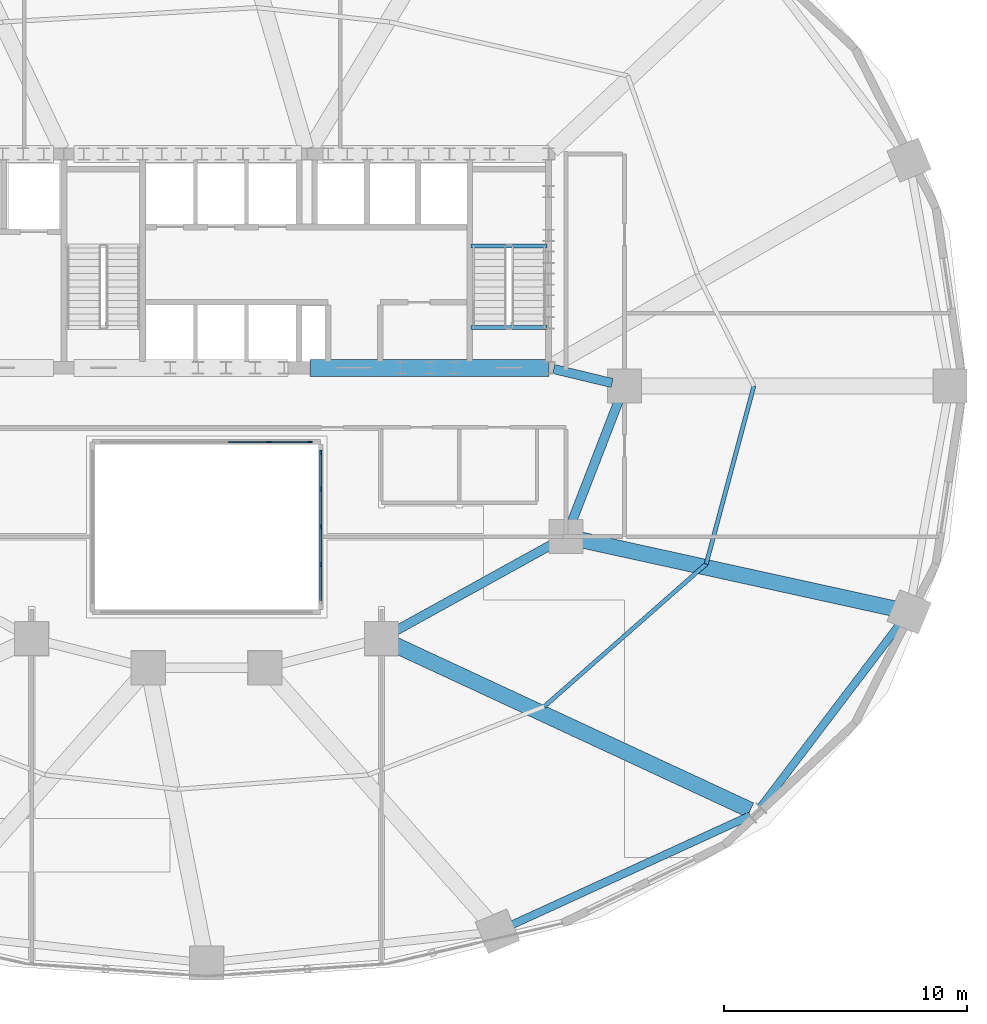
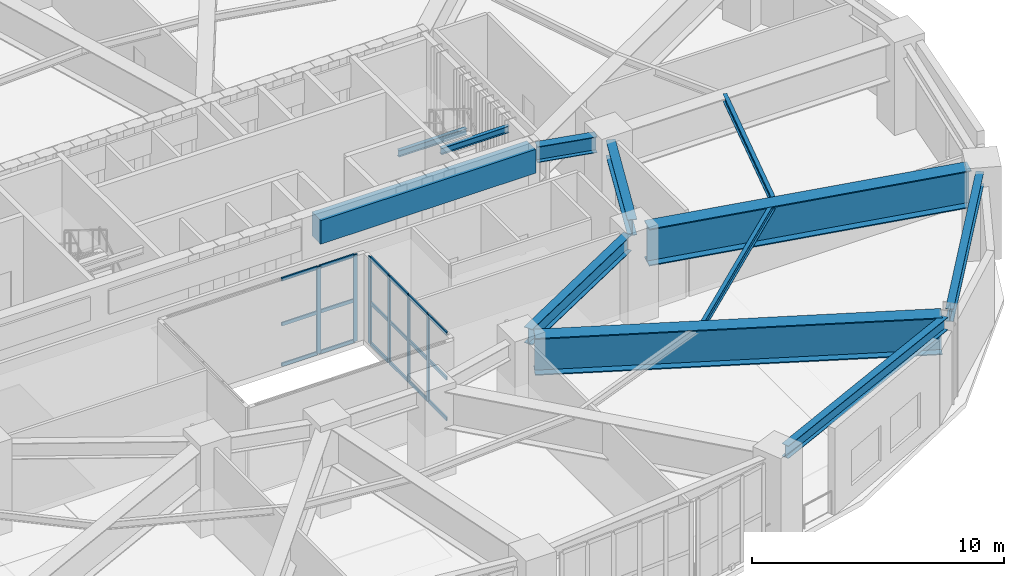
# One storey, part 6 of 13: 24 members, 12 beams, 2 elements without a shape of their own.
"""IFC4 building model written with IfcOpenShell, lengths in metres."""

from ifc_helpers import new_model, si_unit, direction, frame, origin, origin_2d, place, context, subcontext, project, spatial, rectangle, i_section, extrude, material, material_profile, profile_set, type_object, element, aggregate, save


model = new_model("IFC4")

# Units and contexts
model_context = context("Model", 3, precision=1e-05, world=origin(), true_north=direction((0.0, 1.0)))
body_context = subcontext(model_context, "Body", "Model", "MODEL_VIEW")
ifc_project = project(units=[si_unit("LENGTHUNIT", "METRE"), si_unit("AREAUNIT", "SQUARE_METRE"), si_unit("VOLUMEUNIT", "CUBIC_METRE"), si_unit("PLANEANGLEUNIT", "RADIAN"), si_unit("MASSUNIT", "GRAM", prefix="KILO")], contexts=[model_context])

# Site, building, storey
site_placement = place(None, origin())
site = spatial("IfcSite", under=ifc_project, at=site_placement, CompositionType="ELEMENT")
building_placement = place(site_placement, origin())
building = spatial("IfcBuilding", under=site, at=building_placement, Name="Haldorwick Loom Tower", CompositionType="ELEMENT")
storey_placement = place(building_placement, frame((0.0, 0.0, 72.300048828125)))
storey = spatial("IfcBuildingStorey", under=building, at=storey_placement, Name="L19", CompositionType="ELEMENT", Elevation=72.300048828125)

# Curtain wall, members
ifc_material_1 = material(Name="Thermally Broken Anodized Aluminium Curtain Wall Framing", Category="aluminium")
curtain_wall_type = type_object("IfcCurtainWallType", Name="ARC-CW-03", PredefinedType="NOTDEFINED", material=ifc_material_1)
curtain_wall_1_placement = place(storey_placement, origin())
curtain_wall_1 = element("IfcCurtainWall", 1, at=curtain_wall_1_placement, inside=storey, type_object=curtain_wall_type, Name="L19 Atrium Glazed Screen N", PredefinedType="NOTDEFINED")
ifc_material_profile_1 = material_profile(ifc_material_1, rectangle(XDim=0.06591796875, YDim=0.18505859375, at=origin_2d()), Name="ALU_MUL_66X185", Category="aluminium")
ifc_profile_set_1 = profile_set([ifc_material_profile_1], Name="Thermally Broken Anodized Aluminium Curtain Wall Framing")
member_type_1 = type_object("IfcMemberType", Name="ARC-CWM-03", PredefinedType="MULLION", material=ifc_profile_set_1)
member_1_placement = place(storey_placement, frame((38.580078125, 23.699951171875, 0.0), z_axis=(0.0, 0.0, 1.0), x_axis=(0.0, 1.0, 0.0)))
member_1 = element("IfcMember", 2, at=member_1_placement, type_object=member_type_1, Name="CW-03 mullion 5", PredefinedType="MULLION", context=body_context, shape_type="SweptSolid", body=[
    extrude(rectangle(XDim=0.06591796875, YDim=0.18505859375, at=origin_2d()), origin(), (0.0, 0.0, 1.0), 4.199951171875),
])
member_2_placement = place(storey_placement, frame((40.26708984375, 23.699951171875, 0.0), z_axis=(0.0, 0.0, 1.0), x_axis=(0.0, 1.0, 0.0)))
member_2 = element("IfcMember", 3, at=member_2_placement, type_object=member_type_1, Name="CW-03 mullion 6", PredefinedType="MULLION", context=body_context, shape_type="SweptSolid", body=[
    extrude(rectangle(XDim=0.06591796875, YDim=0.18505859375, at=origin_2d()), origin(), (0.0, 0.0, 1.0), 4.199951171875),
])

curtain_wall_2_placement = place(storey_placement, origin())
curtain_wall_2 = element("IfcCurtainWall", 4, at=curtain_wall_2_placement, inside=storey, type_object=curtain_wall_type, Name="L19 Atrium Glazed Screen E", PredefinedType="NOTDEFINED")
member_3_placement = place(storey_placement, frame((40.699951171875, 23.26708984375, 0.0), z_axis=(0.0, 0.0, 1.0), x_axis=(1.0, 0.0, 0.0)))
member_3 = element("IfcMember", 5, at=member_3_placement, type_object=member_type_1, Name="CW-03 mullion 1", PredefinedType="MULLION", context=body_context, shape_type="SweptSolid", body=[
    extrude(rectangle(XDim=0.06591796875, YDim=0.18505859375, at=origin_2d()), origin(), (0.0, 0.0, 1.0), 4.199951171875),
])
member_4_placement = place(storey_placement, frame((40.699951171875, 21.75, 0.0), z_axis=(0.0, 0.0, 1.0), x_axis=(1.0, 0.0, 0.0)))
member_4 = element("IfcMember", 6, at=member_4_placement, type_object=member_type_1, Name="CW-03 mullion 2", PredefinedType="MULLION", context=body_context, shape_type="SweptSolid", body=[
    extrude(rectangle(XDim=0.06591796875, YDim=0.18505859375, at=origin_2d()), origin(), (0.0, 0.0, 1.0), 4.199951171875),
])
member_5_placement = place(storey_placement, frame((40.699951171875, 20.199951171875, 0.0), z_axis=(0.0, 0.0, 1.0), x_axis=(1.0, 0.0, 0.0)))
member_5 = element("IfcMember", 7, at=member_5_placement, type_object=member_type_1, Name="CW-03 mullion 3", PredefinedType="MULLION", context=body_context, shape_type="SweptSolid", body=[
    extrude(rectangle(XDim=0.06591796875, YDim=0.18505859375, at=origin_2d()), origin(), (0.0, 0.0, 1.0), 4.199951171875),
])
member_6_placement = place(storey_placement, frame((40.699951171875, 18.64990234375, 0.0), z_axis=(0.0, 0.0, 1.0), x_axis=(1.0, 0.0, 0.0)))
member_6 = element("IfcMember", 8, at=member_6_placement, type_object=member_type_1, Name="CW-03 mullion 4", PredefinedType="MULLION", context=body_context, shape_type="SweptSolid", body=[
    extrude(rectangle(XDim=0.06591796875, YDim=0.18505859375, at=origin_2d()), origin(), (0.0, 0.0, 1.0), 4.199951171875),
])

# Member
ifc_material_profile_2 = material_profile(ifc_material_1, rectangle(XDim=0.06591796875, YDim=0.1650390625, at=origin_2d()), Name="ALU_TRN_66X165", Category="aluminium")
ifc_profile_set_2 = profile_set([ifc_material_profile_2], Name="Thermally Broken Anodized Aluminium Curtain Wall Framing")
member_type_2 = type_object("IfcMemberType", Name="ARC-CWT-03", PredefinedType="USERDEFINED", material=ifc_profile_set_2)
member_7_placement = place(storey_placement, frame((36.89306640625, 23.699951171875, 0.032958984375), z_axis=(1.0, 0.0, 0.0), x_axis=(0.0, 1.0, 0.0)))
member_7 = element("IfcMember", 9, at=member_7_placement, type_object=member_type_2, Name="CW-03 transom 4.1", ObjectType="TRANSOM", PredefinedType="USERDEFINED", context=body_context, shape_type="SweptSolid", body=[
    extrude(rectangle(XDim=0.06591796875, YDim=0.1650390625, at=origin_2d()), origin(), (0.0, 0.0, 1.0), 1.654052734375),
])

member_8_placement = place(storey_placement, frame((36.89306640625, 23.699951171875, 2.0), z_axis=(1.0, 0.0, 0.0), x_axis=(0.0, 1.0, 0.0)))
member_8 = element("IfcMember", 10, at=member_8_placement, type_object=member_type_2, Name="CW-03 transom 4.2", ObjectType="TRANSOM", PredefinedType="USERDEFINED", context=body_context, shape_type="SweptSolid", body=[
    extrude(rectangle(XDim=0.06591796875, YDim=0.1650390625, at=origin_2d()), origin(), (0.0, 0.0, 1.0), 1.654052734375),
])

member_9_placement = place(storey_placement, frame((36.89306640625, 23.699951171875, 4.1669921875), z_axis=(1.0, 0.0, 0.0), x_axis=(0.0, 1.0, 0.0)))
member_9 = element("IfcMember", 11, at=member_9_placement, type_object=member_type_2, Name="CW-03 transom 4.3", ObjectType="TRANSOM", PredefinedType="USERDEFINED", context=body_context, shape_type="SweptSolid", body=[
    extrude(rectangle(XDim=0.06591796875, YDim=0.1650390625, at=origin_2d()), origin(), (0.0, 0.0, 1.0), 1.654052734375),
])

member_10_placement = place(storey_placement, frame((38.613037109375, 23.699951171875, 0.032958984375), z_axis=(1.0, 0.0, 0.0), x_axis=(0.0, 1.0, 0.0)))
member_10 = element("IfcMember", 12, at=member_10_placement, type_object=member_type_2, Name="CW-03 transom 5.1", ObjectType="TRANSOM", PredefinedType="USERDEFINED", context=body_context, shape_type="SweptSolid", body=[
    extrude(rectangle(XDim=0.06591796875, YDim=0.1650390625, at=origin_2d()), origin(), (0.0, 0.0, 1.0), 1.620849609375),
])

member_11_placement = place(storey_placement, frame((38.613037109375, 23.699951171875, 2.0), z_axis=(1.0, 0.0, 0.0), x_axis=(0.0, 1.0, 0.0)))
member_11 = element("IfcMember", 13, at=member_11_placement, type_object=member_type_2, Name="CW-03 transom 5.2", ObjectType="TRANSOM", PredefinedType="USERDEFINED", context=body_context, shape_type="SweptSolid", body=[
    extrude(rectangle(XDim=0.06591796875, YDim=0.1650390625, at=origin_2d()), origin(), (0.0, 0.0, 1.0), 1.620849609375),
])

member_12_placement = place(storey_placement, frame((38.613037109375, 23.699951171875, 4.1669921875), z_axis=(1.0, 0.0, 0.0), x_axis=(0.0, 1.0, 0.0)))
member_12 = element("IfcMember", 14, at=member_12_placement, type_object=member_type_2, Name="CW-03 transom 5.3", ObjectType="TRANSOM", PredefinedType="USERDEFINED", context=body_context, shape_type="SweptSolid", body=[
    extrude(rectangle(XDim=0.06591796875, YDim=0.1650390625, at=origin_2d()), origin(), (0.0, 0.0, 1.0), 1.620849609375),
])

aggregate(curtain_wall_1, [member_1, member_2, member_7, member_8, member_9, member_10, member_11, member_12])

member_13_placement = place(storey_placement, frame((40.699951171875, 23.23388671875, 0.032958984375), z_axis=(0.0, -1.0, 0.0), x_axis=(1.0, 0.0, 0.0)))
member_13 = element("IfcMember", 15, at=member_13_placement, type_object=member_type_2, Name="CW-03 transom 1.1", ObjectType="TRANSOM", PredefinedType="USERDEFINED", context=body_context, shape_type="SweptSolid", body=[
    extrude(rectangle(XDim=0.06591796875, YDim=0.1650390625, at=origin_2d()), origin(), (0.0, 0.0, 1.0), 1.450927734375),
])

member_14_placement = place(storey_placement, frame((40.699951171875, 23.23388671875, 2.0), z_axis=(0.0, -1.0, 0.0), x_axis=(1.0, 0.0, 0.0)))
member_14 = element("IfcMember", 16, at=member_14_placement, type_object=member_type_2, Name="CW-03 transom 1.2", ObjectType="TRANSOM", PredefinedType="USERDEFINED", context=body_context, shape_type="SweptSolid", body=[
    extrude(rectangle(XDim=0.06591796875, YDim=0.1650390625, at=origin_2d()), origin(), (0.0, 0.0, 1.0), 1.450927734375),
])

member_15_placement = place(storey_placement, frame((40.699951171875, 23.23388671875, 4.1669921875), z_axis=(0.0, -1.0, 0.0), x_axis=(1.0, 0.0, 0.0)))
member_15 = element("IfcMember", 17, at=member_15_placement, type_object=member_type_2, Name="CW-03 transom 1.3", ObjectType="TRANSOM", PredefinedType="USERDEFINED", context=body_context, shape_type="SweptSolid", body=[
    extrude(rectangle(XDim=0.06591796875, YDim=0.1650390625, at=origin_2d()), origin(), (0.0, 0.0, 1.0), 1.450927734375),
])

member_16_placement = place(storey_placement, frame((40.699951171875, 21.717041015625, 0.032958984375), z_axis=(0.0, -1.0, 0.0), x_axis=(1.0, 0.0, 0.0)))
member_16 = element("IfcMember", 18, at=member_16_placement, type_object=member_type_2, Name="CW-03 transom 2.1", ObjectType="TRANSOM", PredefinedType="USERDEFINED", context=body_context, shape_type="SweptSolid", body=[
    extrude(rectangle(XDim=0.06591796875, YDim=0.1650390625, at=origin_2d()), origin(), (0.0, 0.0, 1.0), 1.484130859375),
])

member_17_placement = place(storey_placement, frame((40.699951171875, 21.717041015625, 2.0), z_axis=(0.0, -1.0, 0.0), x_axis=(1.0, 0.0, 0.0)))
member_17 = element("IfcMember", 19, at=member_17_placement, type_object=member_type_2, Name="CW-03 transom 2.2", ObjectType="TRANSOM", PredefinedType="USERDEFINED", context=body_context, shape_type="SweptSolid", body=[
    extrude(rectangle(XDim=0.06591796875, YDim=0.1650390625, at=origin_2d()), origin(), (0.0, 0.0, 1.0), 1.484130859375),
])

member_18_placement = place(storey_placement, frame((40.699951171875, 21.717041015625, 4.1669921875), z_axis=(0.0, -1.0, 0.0), x_axis=(1.0, 0.0, 0.0)))
member_18 = element("IfcMember", 20, at=member_18_placement, type_object=member_type_2, Name="CW-03 transom 2.3", ObjectType="TRANSOM", PredefinedType="USERDEFINED", context=body_context, shape_type="SweptSolid", body=[
    extrude(rectangle(XDim=0.06591796875, YDim=0.1650390625, at=origin_2d()), origin(), (0.0, 0.0, 1.0), 1.484130859375),
])

member_19_placement = place(storey_placement, frame((40.699951171875, 20.1669921875, 0.032958984375), z_axis=(0.0, -1.0, 0.0), x_axis=(1.0, 0.0, 0.0)))
member_19 = element("IfcMember", 21, at=member_19_placement, type_object=member_type_2, Name="CW-03 transom 3.1", ObjectType="TRANSOM", PredefinedType="USERDEFINED", context=body_context, shape_type="SweptSolid", body=[
    extrude(rectangle(XDim=0.06591796875, YDim=0.1650390625, at=origin_2d()), origin(), (0.0, 0.0, 1.0), 1.48388671875),
])

member_20_placement = place(storey_placement, frame((40.699951171875, 20.1669921875, 2.0), z_axis=(0.0, -1.0, 0.0), x_axis=(1.0, 0.0, 0.0)))
member_20 = element("IfcMember", 22, at=member_20_placement, type_object=member_type_2, Name="CW-03 transom 3.2", ObjectType="TRANSOM", PredefinedType="USERDEFINED", context=body_context, shape_type="SweptSolid", body=[
    extrude(rectangle(XDim=0.06591796875, YDim=0.1650390625, at=origin_2d()), origin(), (0.0, 0.0, 1.0), 1.48388671875),
])

member_21_placement = place(storey_placement, frame((40.699951171875, 20.1669921875, 4.1669921875), z_axis=(0.0, -1.0, 0.0), x_axis=(1.0, 0.0, 0.0)))
member_21 = element("IfcMember", 23, at=member_21_placement, type_object=member_type_2, Name="CW-03 transom 3.3", ObjectType="TRANSOM", PredefinedType="USERDEFINED", context=body_context, shape_type="SweptSolid", body=[
    extrude(rectangle(XDim=0.06591796875, YDim=0.1650390625, at=origin_2d()), origin(), (0.0, 0.0, 1.0), 1.48388671875),
])

member_22_placement = place(storey_placement, frame((40.699951171875, 18.616943359375, 0.032958984375), z_axis=(0.0, -1.0, 0.0), x_axis=(1.0, 0.0, 0.0)))
member_22 = element("IfcMember", 24, at=member_22_placement, type_object=member_type_2, Name="CW-03 transom 4.1", ObjectType="TRANSOM", PredefinedType="USERDEFINED", context=body_context, shape_type="SweptSolid", body=[
    extrude(rectangle(XDim=0.06591796875, YDim=0.1650390625, at=origin_2d()), origin(), (0.0, 0.0, 1.0), 1.450927734375),
])

member_23_placement = place(storey_placement, frame((40.699951171875, 18.616943359375, 2.0), z_axis=(0.0, -1.0, 0.0), x_axis=(1.0, 0.0, 0.0)))
member_23 = element("IfcMember", 25, at=member_23_placement, type_object=member_type_2, Name="CW-03 transom 4.2", ObjectType="TRANSOM", PredefinedType="USERDEFINED", context=body_context, shape_type="SweptSolid", body=[
    extrude(rectangle(XDim=0.06591796875, YDim=0.1650390625, at=origin_2d()), origin(), (0.0, 0.0, 1.0), 1.450927734375),
])

member_24_placement = place(storey_placement, frame((40.699951171875, 18.616943359375, 4.1669921875), z_axis=(0.0, -1.0, 0.0), x_axis=(1.0, 0.0, 0.0)))
member_24 = element("IfcMember", 26, at=member_24_placement, type_object=member_type_2, Name="CW-03 transom 4.3", ObjectType="TRANSOM", PredefinedType="USERDEFINED", context=body_context, shape_type="SweptSolid", body=[
    extrude(rectangle(XDim=0.06591796875, YDim=0.1650390625, at=origin_2d()), origin(), (0.0, 0.0, 1.0), 1.450927734375),
])

aggregate(curtain_wall_2, [member_3, member_4, member_5, member_6, member_13, member_14, member_15, member_16, member_17, member_18, member_19, member_20, member_21, member_22, member_23, member_24])

# Beams
ifc_material_2 = material(Name="Concrete C60 (60 MPa)", Category="concrete")
ifc_material_profile_3 = material_profile(ifc_material_2, rectangle(XDim=0.699951171875, YDim=1.14990234375, at=origin_2d()), Name="RC700X1150", Category="concrete")
ifc_profile_set_3 = profile_set([ifc_material_profile_3], Name="Concrete C60 (60 MPa)")
beam_type_1 = type_object("IfcBeamType", Name="STR-BM-CB1150", PredefinedType="LINTEL", material=ifc_profile_set_3)
beam_1_placement = place(storey_placement, frame((40.25, 26.75, 3.625), z_axis=(1.0, 0.0, 0.0), x_axis=(0.0, 1.0, 0.0)))
element("IfcBeam", 27, at=beam_1_placement, inside=storey, type_object=beam_type_1, Name="L19 Core Coupling Beam CB-S3", PredefinedType="LINTEL", context=body_context, shape_type="SweptSolid", body=[
    extrude(rectangle(XDim=0.699951171875, YDim=1.14990234375, at=origin_2d()), origin(), (0.0, 0.0, 1.0), 9.85009765625),
])
ifc_material_3 = material(Name="Steel CSA G40.21 350W", Category="steel")
ifc_material_profile_4 = material_profile(ifc_material_3, i_section(OverallWidth=0.172119140625, OverallDepth=0.35791015625, WebThickness=0.0078125, FlangeThickness=0.01318359375, at=origin_2d()), Name="W360X57", Category="steel")
ifc_profile_set_4 = profile_set([ifc_material_profile_4], Name="Steel CSA G40.21 350W")
beam_type_2 = type_object("IfcBeamType", Name="STR-BM-J360", PredefinedType="JOIST", material=ifc_profile_set_4)
beam_2_placement = place(storey_placement, frame((49.9033203125, 12.80908203125, 4.02099609375), z_axis=(0.750721157729, 0.660619212057, 0.0), x_axis=(-0.660619212057, 0.750721157729, 0.0)))
element("IfcBeam", 28, at=beam_2_placement, inside=storey, type_object=beam_type_2, Name="L19 Mid-Bay Secondary Joist 15", PredefinedType="JOIST", context=body_context, shape_type="SweptSolid", body=[
    extrude(i_section(OverallWidth=0.172119140625, OverallDepth=0.35791015625, WebThickness=0.0078125, FlangeThickness=0.01318359375, at=origin_2d()), origin(), (0.0, 0.0, 1.0), 8.8740234375),
])
beam_3_placement = place(storey_placement, frame((56.565185546875, 18.67138671875, 4.02099609375), z_axis=(0.258810072536, 0.965928230436, 0.0), x_axis=(-0.965928230436, 0.258810072536, 0.0)))
element("IfcBeam", 29, at=beam_3_placement, inside=storey, type_object=beam_type_2, Name="L19 Mid-Bay Secondary Joist 16", PredefinedType="JOIST", context=body_context, shape_type="SweptSolid", body=[
    extrude(i_section(OverallWidth=0.172119140625, OverallDepth=0.35791015625, WebThickness=0.0078125, FlangeThickness=0.01318359375, at=origin_2d()), origin(), (0.0, 0.0, 1.0), 7.587158203125),
])
ifc_material_profile_5 = material_profile(ifc_material_3, i_section(OverallWidth=0.324951171875, OverallDepth=0.615966796875, WebThickness=0.013916015625, FlangeThickness=0.021484375, at=origin_2d()), Name="W610X174", Category="steel")
ifc_profile_set_5 = profile_set([ifc_material_profile_5], Name="Steel CSA G40.21 350W")
beam_type_3 = type_object("IfcBeamType", Name="STR-BM-SP610", PredefinedType="SPANDREL", material=ifc_profile_set_5)
beam_4_placement = place(storey_placement, frame((48.45068359375, 3.76611328125, 3.891845703125), z_axis=(0.909173805321, 0.416416848504, 0.0), x_axis=(-0.416416848504, 0.909173805321, 0.0)))
element("IfcBeam", 30, at=beam_4_placement, inside=storey, type_object=beam_type_3, Name="L19 Perimeter Spandrel 14", PredefinedType="SPANDREL", context=body_context, shape_type="SweptSolid", body=[
    extrude(i_section(OverallWidth=0.324951171875, OverallDepth=0.615966796875, WebThickness=0.013916015625, FlangeThickness=0.021484375, at=origin_2d()), origin(), (0.0, 0.0, 1.0), 10.92138671875),
])
beam_5_placement = place(storey_placement, frame((58.796630859375, 8.647216796875, 3.891845703125), z_axis=(0.605084557744, 0.796161213562, 0.0), x_axis=(-0.796161213562, 0.605084557744, 0.0)))
element("IfcBeam", 31, at=beam_5_placement, inside=storey, type_object=beam_type_3, Name="L19 Perimeter Spandrel 15", PredefinedType="SPANDREL", context=body_context, shape_type="SweptSolid", body=[
    extrude(i_section(OverallWidth=0.324951171875, OverallDepth=0.615966796875, WebThickness=0.013916015625, FlangeThickness=0.021484375, at=origin_2d()), origin(), (0.0, 0.0, 1.0), 9.595703125),
])
ifc_material_profile_6 = material_profile(ifc_material_3, i_section(OverallWidth=0.166015625, OverallDepth=0.31298828125, WebThickness=0.006591796875, FlangeThickness=0.01123046875, at=origin_2d()), Name="W310X45", Category="steel")
ifc_profile_set_6 = profile_set([ifc_material_profile_6], Name="Steel CSA G40.21 350W")
beam_type_4 = type_object("IfcBeamType", Name="STR-BM-STRM", PredefinedType="BEAM", material=ifc_profile_set_6)
for number, where, z_axis, x_axis, name in (
    (32, (46.889892578125, 28.39990234375, 4.04345703125), (1.0, 0.0, 0.0), (0.0, 1.0, 0.0), "L19 Stair ST-02 Landing Edge Trimmer"),
    (33, (46.889892578125, 31.760009765625, 1.8935546875), (1.0, 0.0, 0.0), (0.0, 1.0, 0.0), "L19 Stair ST-02 Half-Landing Trimmer 1"),
):
    element("IfcBeam", number, at=place(storey_placement, frame(where, z_axis=z_axis, x_axis=x_axis)), inside=storey, type_object=beam_type_4, Name=name, PredefinedType="BEAM", context=body_context, shape_type="SweptSolid", body=[
        extrude(i_section(OverallWidth=0.166015625, OverallDepth=0.31298828125, WebThickness=0.006591796875, FlangeThickness=0.01123046875, at=origin_2d()), origin(), (0.0, 0.0, 1.0), 3.1201171875),
    ])
ifc_material_4 = material(Name="Steel CSA G40.21 350WT", Category="steel")
ifc_material_profile_7 = material_profile(ifc_material_4, i_section(OverallWidth=0.64990234375, OverallDepth=1.800048828125, WebThickness=0.02587890625, FlangeThickness=0.048095703125, at=origin_2d()), Name="WWF1800X650", Category="steel")
ifc_profile_set_7 = profile_set([ifc_material_profile_7], Name="Steel CSA G40.21 350WT")
beam_type_5 = type_object("IfcBeamType", Name="STR-BM-TG1800", PredefinedType="BEAM", material=ifc_profile_set_7)
beam_6_placement = place(storey_placement, frame((43.671630859375, 15.380859375, 3.300048828125), z_axis=(0.90683498532, -0.421485835349, 0.0), x_axis=(0.421485835349, 0.90683498532, 0.0)))
element("IfcBeam", 34, at=beam_6_placement, inside=storey, type_object=beam_type_5, Name="L19 Setback Inner Transfer Girder 15", PredefinedType="BEAM", context=body_context, shape_type="SweptSolid", body=[
    extrude(i_section(OverallWidth=0.64990234375, OverallDepth=1.800048828125, WebThickness=0.02587890625, FlangeThickness=0.048095703125, at=origin_2d()), origin(), (0.0, 0.0, 1.0), 16.220458984375),
])
beam_7_placement = place(storey_placement, frame((51.307861328125, 19.6884765625, 3.300048828125), z_axis=(0.976740159434, -0.214426353203, 0.0), x_axis=(0.214426353203, 0.976740159434, 0.0)))
element("IfcBeam", 35, at=beam_7_placement, inside=storey, type_object=beam_type_5, Name="L19 Setback Inner Transfer Girder 16", PredefinedType="BEAM", context=body_context, shape_type="SweptSolid", body=[
    extrude(i_section(OverallWidth=0.64990234375, OverallDepth=1.800048828125, WebThickness=0.02587890625, FlangeThickness=0.048095703125, at=origin_2d()), origin(), (0.0, 0.0, 1.0), 13.41357421875),
])
ifc_material_profile_8 = material_profile(ifc_material_3, i_section(OverallWidth=0.381103515625, OverallDepth=0.77294921875, WebThickness=0.0166015625, FlangeThickness=0.027587890625, at=origin_2d()), Name="W760X257", Category="steel")
ifc_profile_set_8 = profile_set([ifc_material_profile_8], Name="Steel CSA G40.21 350W")
beam_type_6 = type_object("IfcBeamType", Name="STR-BM-W760", PredefinedType="BEAM", material=ifc_profile_set_8)
beam_8_placement = place(storey_placement, frame((50.288818359375, 26.697509765625, 3.8134765625), z_axis=(0.97247055837, -0.233025777764, 0.0), x_axis=(0.233025777764, 0.97247055837, 0.0)))
element("IfcBeam", 36, at=beam_8_placement, inside=storey, type_object=beam_type_6, Name="L19 Inner Ring Girder 1", PredefinedType="BEAM", context=body_context, shape_type="SweptSolid", body=[
    extrude(i_section(OverallWidth=0.381103515625, OverallDepth=0.77294921875, WebThickness=0.0166015625, FlangeThickness=0.027587890625, at=origin_2d()), origin(), (0.0, 0.0, 1.0), 2.4736328125),
])
beam_9_placement = place(storey_placement, frame((53.01220703125, 25.51513671875, 3.8134765625), z_axis=(-0.360964792353, -0.93257944363, 0.0), x_axis=(0.93257944363, -0.360964792353, 0.0)))
element("IfcBeam", 37, at=beam_9_placement, inside=storey, type_object=beam_type_6, Name="L19 Inner Ring Girder 2", PredefinedType="BEAM", context=body_context, shape_type="SweptSolid", body=[
    extrude(i_section(OverallWidth=0.381103515625, OverallDepth=0.77294921875, WebThickness=0.0166015625, FlangeThickness=0.027587890625, at=origin_2d()), origin(), (0.0, 0.0, 1.0), 5.6083984375),
])
beam_10_placement = place(storey_placement, frame((50.344970703125, 19.548583984375, 3.8134765625), z_axis=(-0.875244382146, -0.483680960471, 0.0), x_axis=(0.483680960471, -0.875244382146, 0.0)))
element("IfcBeam", 38, at=beam_10_placement, inside=storey, type_object=beam_type_6, Name="L19 Inner Ring Girder 3", PredefinedType="BEAM", context=body_context, shape_type="SweptSolid", body=[
    extrude(i_section(OverallWidth=0.381103515625, OverallDepth=0.77294921875, WebThickness=0.0166015625, FlangeThickness=0.027587890625, at=origin_2d()), origin(), (0.0, 0.0, 1.0), 7.6435546875),
])

save(model, "model.ifc")
